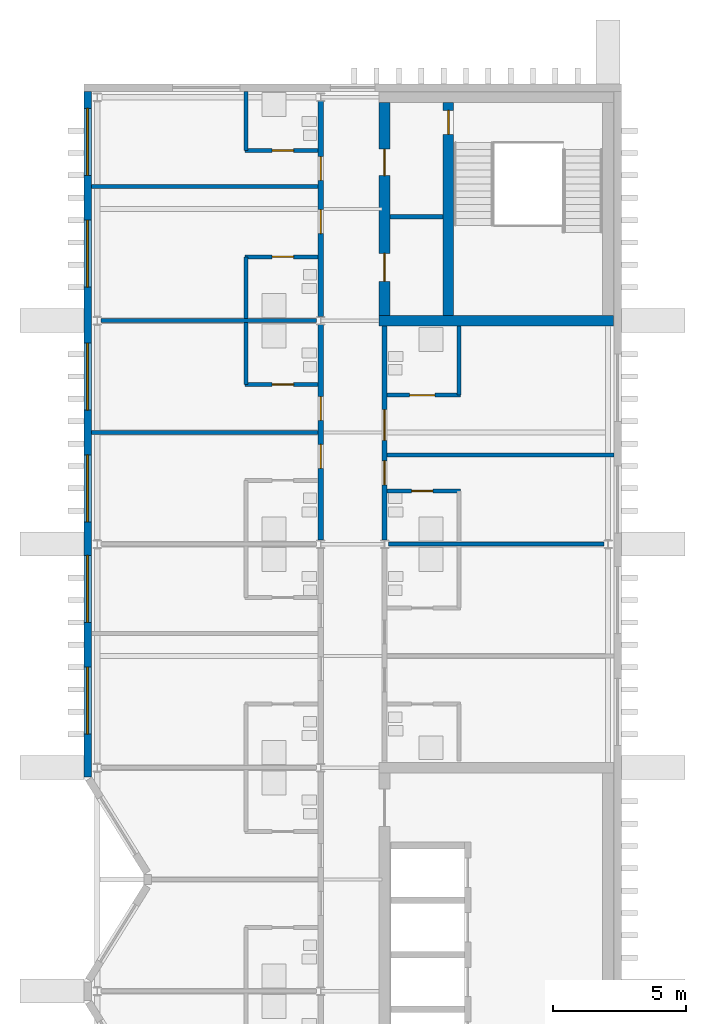
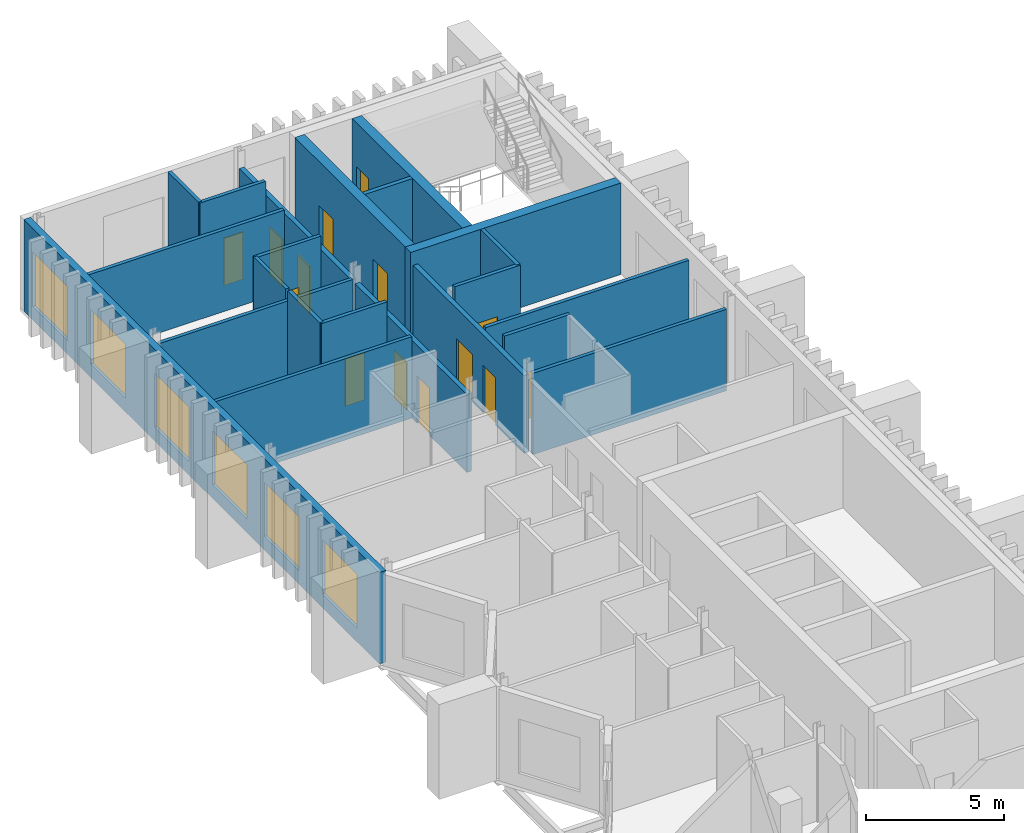
# One storey, part 8 of 11: 22 walls, 14 doors, 6 windows, 20 openings.
"""IFC4 building model written with IfcOpenShell, lengths in metres."""

from ifc_helpers import new_model, si_unit, direction, frame, frame_2d, origin, place, context, subcontext, project, spatial, rectangle, extrude, material, layer, layer_set, type_object, element, fill, save


model = new_model("IFC4")

# Units and contexts
model_context = context("Model", 3, precision=1e-05, world=origin(), true_north=direction((0.0, 1.0)))
body_context = subcontext(model_context, "Body", "Model", "MODEL_VIEW")
ifc_project = project(units=[si_unit("LENGTHUNIT", "METRE"), si_unit("AREAUNIT", "SQUARE_METRE"), si_unit("VOLUMEUNIT", "CUBIC_METRE"), si_unit("PLANEANGLEUNIT", "RADIAN"), si_unit("MASSUNIT", "GRAM", prefix="KILO")], contexts=[model_context])

# Site, building, storey
site_placement = place(None, origin())
site = spatial("IfcSite", under=ifc_project, at=site_placement, CompositionType="ELEMENT")
building_placement = place(site_placement, origin())
building = spatial("IfcBuilding", under=site, at=building_placement, Name="Cresset Court Congress Hotel", CompositionType="ELEMENT")
storey_placement = place(building_placement, frame((0.0, 0.0, 52.199951171875)))
storey = spatial("IfcBuildingStorey", under=building, at=storey_placement, Name="L12", CompositionType="ELEMENT", Elevation=52.199951171875)

# Wall, openings, doors
ifc_material_1 = material(Name="Gypsum board partition")
ifc_layer_1 = layer(ifc_material_1, 0.199951171875)
ifc_layer_set_1 = layer_set([ifc_layer_1], Name="Corridor wall 200")
wall_type_1 = type_object("IfcWallType", Name="Corridor wall 200", PredefinedType="PARTITIONING", material=ifc_layer_set_1)
wall_1_placement = place(storey_placement, frame((165.60009765625, 50.550048828125, 0.0), z_axis=(0.0, 0.0, 1.0), x_axis=(0.0, 1.0, 0.0)))
wall_1 = element("IfcWall", 1, at=wall_1_placement, inside=storey, type_object=wall_type_1, Name="A.wl.L12.076", PredefinedType="PARTITIONING", context=body_context, shape_type="SweptSolid", body=[
    extrude(rectangle(XDim=8.099853515625, YDim=0.199951171875, at=frame_2d((4.0498046875, 0.0))), origin(), (0.0, 0.0, 1.0), 3.449951171875),
])
opening_1_placement = place(wall_1_placement, frame((2.699951171875, 0.0, 0.0)))
opening_1 = element("IfcOpeningElement", 2, at=opening_1_placement, cuts=wall_1, Name="Opening DA-12-26", PredefinedType="OPENING", context=body_context, shape_type="SweptSolid", body=[
    extrude(rectangle(XDim=0.89990234375, YDim=2.10009765625, at=frame_2d((0.449951171875, 1.050048828125))), frame((0.0, 0.10986328125, 0.0), z_axis=(0.0, -1.0, 0.0), x_axis=(1.0, 0.0, 0.0)), (0.0, 0.0, 1.0), 0.219970703125),
])
opening_2_placement = place(wall_1_placement, frame((4.5, 0.0, 0.0)))
opening_2 = element("IfcOpeningElement", 3, at=opening_2_placement, cuts=wall_1, Name="Opening DA-12-28", PredefinedType="OPENING", context=body_context, shape_type="SweptSolid", body=[
    extrude(rectangle(XDim=0.89990234375, YDim=2.10009765625, at=frame_2d((0.449951171875, 1.050048828125))), frame((0.0, 0.10986328125, 0.0), z_axis=(0.0, -1.0, 0.0), x_axis=(1.0, 0.0, 0.0)), (0.0, 0.0, 1.0), 0.219970703125),
])
ifc_material_2 = material(Name="timber", Category="wood")
door_type_1 = type_object("IfcDoorType", Name="Guest-room entry door 900x2100 FD30S", OperationType="SINGLE_SWING_LEFT", PredefinedType="DOOR", material=ifc_material_2)
door_1_placement = place(opening_1_placement, origin())
door_1 = element("IfcDoor", 4, at=door_1_placement, inside=storey, type_object=door_type_1, Name="Door DA-12-26", OperationType="SINGLE_SWING_RIGHT", OverallHeight=2.10009765625, OverallWidth=0.89990234375, PredefinedType="DOOR", context=body_context, shape_type="SweptSolid", body=[
    extrude(rectangle(XDim=0.89990234375, YDim=2.10009765625, at=frame_2d((0.449951171875, 1.050048828125))), frame((0.0, 0.02490234375, 0.0), z_axis=(0.0, -1.0, 0.0), x_axis=(1.0, 0.0, 0.0)), (0.0, 0.0, 1.0), 0.050048828125),
])
fill(opening_1, door_1)
door_2_placement = place(opening_2_placement, origin())
door_2 = element("IfcDoor", 5, at=door_2_placement, inside=storey, type_object=door_type_1, Name="Door DA-12-28", OperationType="SINGLE_SWING_LEFT", OverallHeight=2.10009765625, OverallWidth=0.89990234375, PredefinedType="DOOR", context=body_context, shape_type="SweptSolid", body=[
    extrude(rectangle(XDim=0.89990234375, YDim=2.10009765625, at=frame_2d((0.449951171875, 1.050048828125))), frame((0.0, 0.02490234375, 0.0), z_axis=(0.0, -1.0, 0.0), x_axis=(1.0, 0.0, 0.0)), (0.0, 0.0, 1.0), 0.050048828125),
])
fill(opening_2, door_2)

wall_2_placement = place(storey_placement, frame((165.60009765625, 58.949951171875, 0.0), z_axis=(0.0, 0.0, 1.0), x_axis=(0.0, 1.0, 0.0)))
wall_2 = element("IfcWall", 6, at=wall_2_placement, inside=storey, type_object=wall_type_1, Name="A.wl.L12.077", PredefinedType="PARTITIONING", context=body_context, shape_type="SweptSolid", body=[
    extrude(rectangle(XDim=8.10009765625, YDim=0.199951171875, at=frame_2d((4.050048828125, 0.0))), origin(), (0.0, 0.0, 1.0), 3.449951171875),
])
opening_3_placement = place(wall_2_placement, frame((3.1201171875, 0.0, 0.0)))
opening_3 = element("IfcOpeningElement", 7, at=opening_3_placement, cuts=wall_2, Name="Opening DA-12-30", PredefinedType="OPENING", context=body_context, shape_type="SweptSolid", body=[
    extrude(rectangle(XDim=0.89990234375, YDim=2.10009765625, at=frame_2d((0.449951171875, 1.050048828125))), frame((0.0, 0.10986328125, 0.0), z_axis=(0.0, -1.0, 0.0), x_axis=(1.0, 0.0, 0.0)), (0.0, 0.0, 1.0), 0.219970703125),
])
opening_4_placement = place(wall_2_placement, frame((5.1201171875, 0.0, 0.0)))
opening_4 = element("IfcOpeningElement", 8, at=opening_4_placement, cuts=wall_2, Name="Opening DA-12-32", PredefinedType="OPENING", context=body_context, shape_type="SweptSolid", body=[
    extrude(rectangle(XDim=0.89990234375, YDim=2.10009765625, at=frame_2d((0.449951171875, 1.050048828125))), frame((0.0, 0.10986328125, 0.0), z_axis=(0.0, -1.0, 0.0), x_axis=(1.0, 0.0, 0.0)), (0.0, 0.0, 1.0), 0.219970703125),
])
door_3_placement = place(opening_3_placement, origin())
door_3 = element("IfcDoor", 9, at=door_3_placement, inside=storey, type_object=door_type_1, Name="Door DA-12-30", OperationType="SINGLE_SWING_RIGHT", OverallHeight=2.10009765625, OverallWidth=0.89990234375, PredefinedType="DOOR", context=body_context, shape_type="SweptSolid", body=[
    extrude(rectangle(XDim=0.89990234375, YDim=2.10009765625, at=frame_2d((0.449951171875, 1.050048828125))), frame((0.0, 0.02490234375, 0.0), z_axis=(0.0, -1.0, 0.0), x_axis=(1.0, 0.0, 0.0)), (0.0, 0.0, 1.0), 0.050048828125),
])
fill(opening_3, door_3)
door_4_placement = place(opening_4_placement, origin())
door_4 = element("IfcDoor", 10, at=door_4_placement, inside=storey, type_object=door_type_1, Name="Door DA-12-32", OperationType="SINGLE_SWING_LEFT", OverallHeight=2.10009765625, OverallWidth=0.89990234375, PredefinedType="DOOR", context=body_context, shape_type="SweptSolid", body=[
    extrude(rectangle(XDim=0.89990234375, YDim=2.10009765625, at=frame_2d((0.449951171875, 1.050048828125))), frame((0.0, 0.02490234375, 0.0), z_axis=(0.0, -1.0, 0.0), x_axis=(1.0, 0.0, 0.0)), (0.0, 0.0, 1.0), 0.050048828125),
])
fill(opening_4, door_4)

wall_3_placement = place(storey_placement, frame((168.0, 50.550048828125, 0.0), z_axis=(0.0, 0.0, 1.0), x_axis=(0.0, 1.0, 0.0)))
wall_3 = element("IfcWall", 11, at=wall_3_placement, inside=storey, type_object=wall_type_1, Name="A.wl.L12.081", PredefinedType="PARTITIONING", context=body_context, shape_type="SweptSolid", body=[
    extrude(rectangle(XDim=8.050048828125, YDim=0.199951171875, at=frame_2d((4.02490234375, 0.0))), origin(), (0.0, 0.0, 1.0), 3.449951171875),
])
opening_5_placement = place(wall_3_placement, frame((2.080078125, 0.0, 0.0)))
opening_5 = element("IfcOpeningElement", 12, at=opening_5_placement, cuts=wall_3, Name="Opening DA-12-46", PredefinedType="OPENING", context=body_context, shape_type="SweptSolid", body=[
    extrude(rectangle(XDim=0.89990234375, YDim=2.10009765625, at=frame_2d((0.449951171875, 1.050048828125))), frame((0.0, 0.10986328125, 0.0), z_axis=(0.0, -1.0, 0.0), x_axis=(1.0, 0.0, 0.0)), (0.0, 0.0, 1.0), 0.219970703125),
])
opening_6_placement = place(wall_3_placement, frame((3.7548828125, 0.0, 0.0)))
opening_6 = element("IfcOpeningElement", 13, at=opening_6_placement, cuts=wall_3, Name="Opening DA-12-48", PredefinedType="OPENING", context=body_context, shape_type="SweptSolid", body=[
    extrude(rectangle(XDim=1.14990234375, YDim=2.10009765625, at=frame_2d((0.574951171875, 1.050048828125))), frame((0.0, 0.10986328125, 0.0), z_axis=(0.0, -1.0, 0.0), x_axis=(1.0, 0.0, 0.0)), (0.0, 0.0, 1.0), 0.219970703125),
])
ifc_material_3 = material(Name="timber", Category="wood")
door_type_2 = type_object("IfcDoorType", Name="Accessible guest-room entry door 1150x2100 FD30S", OperationType="SINGLE_SWING_LEFT", PredefinedType="DOOR", material=ifc_material_3)
door_5_placement = place(opening_6_placement, origin())
door_5 = element("IfcDoor", 14, at=door_5_placement, inside=storey, type_object=door_type_2, Name="Door DA-12-48", OperationType="SINGLE_SWING_LEFT", OverallHeight=2.10009765625, OverallWidth=1.14990234375, PredefinedType="DOOR", context=body_context, shape_type="SweptSolid", body=[
    extrude(rectangle(XDim=1.14990234375, YDim=2.10009765625, at=frame_2d((0.574951171875, 1.050048828125))), frame((0.0, 0.02490234375, 0.0), z_axis=(0.0, -1.0, 0.0), x_axis=(1.0, 0.0, 0.0)), (0.0, 0.0, 1.0), 0.050048828125),
])
fill(opening_6, door_5)
door_6_placement = place(opening_5_placement, origin())
door_6 = element("IfcDoor", 15, at=door_6_placement, inside=storey, type_object=door_type_1, Name="Door DA-12-46", OperationType="SINGLE_SWING_RIGHT", OverallHeight=2.10009765625, OverallWidth=0.89990234375, PredefinedType="DOOR", context=body_context, shape_type="SweptSolid", body=[
    extrude(rectangle(XDim=0.89990234375, YDim=2.10009765625, at=frame_2d((0.449951171875, 1.050048828125))), frame((0.0, 0.02490234375, 0.0), z_axis=(0.0, -1.0, 0.0), x_axis=(1.0, 0.0, 0.0)), (0.0, 0.0, 1.0), 0.050048828125),
])
fill(opening_5, door_6)

# Wall
ifc_material_4 = material(Name="Gypsum board partition")
ifc_layer_2 = layer(ifc_material_4, 0.14990234375)
ifc_layer_set_2 = layer_set([ifc_layer_2], Name="En-suite wall 150")
wall_type_2 = type_object("IfcWallType", Name="En-suite wall 150", PredefinedType="PARTITIONING", material=ifc_layer_set_2)
wall_4_placement = place(storey_placement, frame((162.800048828125, 56.39990234375, 0.0), z_axis=(0.0, 0.0, 1.0), x_axis=(0.0, 1.0, 0.0)))
element("IfcWall", 16, at=wall_4_placement, inside=storey, type_object=wall_type_2, Name="A.wl.L12.027", PredefinedType="PARTITIONING", context=body_context, shape_type="SweptSolid", body=[
    extrude(rectangle(XDim=2.3251953125, YDim=0.14990234375, at=frame_2d((1.16259765625, 0.0))), origin(), (0.0, 0.0, 1.0), 4.050048828125),
])

# Wall, opening, door
wall_5_placement = place(storey_placement, frame((162.75, 56.39990234375, 0.0), z_axis=(0.0, 0.0, 1.0), x_axis=(1.0, 0.0, 0.0)))
wall_5 = element("IfcWall", 17, at=wall_5_placement, inside=storey, type_object=wall_type_2, Name="A.wl.L12.028", PredefinedType="PARTITIONING", context=body_context, shape_type="SweptSolid", body=[
    extrude(rectangle(XDim=2.75, YDim=0.14990234375, at=frame_2d((1.375, 0.0))), origin(), (0.0, 0.0, 1.0), 4.050048828125),
])
opening_7_placement = place(wall_5_placement, frame((1.030029296875, 0.0, 0.0)))
opening_7 = element("IfcOpeningElement", 18, at=opening_7_placement, cuts=wall_5, Name="Opening DA-12-27", PredefinedType="OPENING", context=body_context, shape_type="SweptSolid", body=[
    extrude(rectangle(XDim=0.800048828125, YDim=2.10009765625, at=frame_2d((0.39990234375, 1.050048828125))), frame((0.0, 0.0849609375, 0.0), z_axis=(0.0, -1.0, 0.0), x_axis=(1.0, 0.0, 0.0)), (0.0, 0.0, 1.0), 0.169921875),
])
ifc_material_5 = material(Name="timber", Category="wood")
door_type_3 = type_object("IfcDoorType", Name="En-suite door 800x2100", OperationType="SINGLE_SWING_LEFT", PredefinedType="DOOR", material=ifc_material_5)
door_7_placement = place(opening_7_placement, origin())
door_7 = element("IfcDoor", 19, at=door_7_placement, inside=storey, type_object=door_type_3, Name="Door DA-12-27", OperationType="SINGLE_SWING_LEFT", OverallHeight=2.10009765625, OverallWidth=0.800048828125, PredefinedType="DOOR", context=body_context, shape_type="SweptSolid", body=[
    extrude(rectangle(XDim=0.800048828125, YDim=2.10009765625, at=frame_2d((0.39990234375, 1.050048828125))), frame((0.0, 0.02490234375, 0.0), z_axis=(0.0, -1.0, 0.0), x_axis=(1.0, 0.0, 0.0)), (0.0, 0.0, 1.0), 0.050048828125),
])
fill(opening_7, door_7)

# Wall
wall_6_placement = place(storey_placement, frame((162.800048828125, 58.875, 0.0), z_axis=(0.0, 0.0, 1.0), x_axis=(0.0, 1.0, 0.0)))
element("IfcWall", 20, at=wall_6_placement, inside=storey, type_object=wall_type_2, Name="A.wl.L12.029", PredefinedType="PARTITIONING", context=body_context, shape_type="SweptSolid", body=[
    extrude(rectangle(XDim=2.324951171875, YDim=0.14990234375, at=frame_2d((1.16259765625, 0.0))), origin(), (0.0, 0.0, 1.0), 4.050048828125),
])

# Wall, opening, door
wall_7_placement = place(storey_placement, frame((162.75, 61.199951171875, 0.0), z_axis=(0.0, 0.0, 1.0), x_axis=(1.0, 0.0, 0.0)))
wall_7 = element("IfcWall", 21, at=wall_7_placement, inside=storey, type_object=wall_type_2, Name="A.wl.L12.030", PredefinedType="PARTITIONING", context=body_context, shape_type="SweptSolid", body=[
    extrude(rectangle(XDim=2.75, YDim=0.14990234375, at=frame_2d((1.375, 0.0))), origin(), (0.0, 0.0, 1.0), 4.050048828125),
])
opening_8_placement = place(wall_7_placement, frame((1.030029296875, 0.0, 0.0)))
opening_8 = element("IfcOpeningElement", 22, at=opening_8_placement, cuts=wall_7, Name="Opening DA-12-29", PredefinedType="OPENING", context=body_context, shape_type="SweptSolid", body=[
    extrude(rectangle(XDim=0.800048828125, YDim=2.10009765625, at=frame_2d((0.39990234375, 1.050048828125))), frame((0.0, 0.0849609375, 0.0), z_axis=(0.0, -1.0, 0.0), x_axis=(1.0, 0.0, 0.0)), (0.0, 0.0, 1.0), 0.169921875),
])
door_8_placement = place(opening_8_placement, origin())
door_8 = element("IfcDoor", 23, at=door_8_placement, inside=storey, type_object=door_type_3, Name="Door DA-12-29", OperationType="SINGLE_SWING_RIGHT", OverallHeight=2.10009765625, OverallWidth=0.800048828125, PredefinedType="DOOR", context=body_context, shape_type="SweptSolid", body=[
    extrude(rectangle(XDim=0.800048828125, YDim=2.10009765625, at=frame_2d((0.39990234375, 1.050048828125))), frame((0.0, 0.02490234375, 0.0), z_axis=(0.0, -1.0, 0.0), x_axis=(1.0, 0.0, 0.0)), (0.0, 0.0, 1.0), 0.050048828125),
])
fill(opening_8, door_8)

# Wall
wall_8_placement = place(storey_placement, frame((162.800048828125, 65.199951171875, 0.0), z_axis=(0.0, 0.0, 1.0), x_axis=(0.0, 1.0, 0.0)))
element("IfcWall", 24, at=wall_8_placement, inside=storey, type_object=wall_type_2, Name="A.wl.L12.031", PredefinedType="PARTITIONING", context=body_context, shape_type="SweptSolid", body=[
    extrude(rectangle(XDim=2.219970703125, YDim=0.14990234375, at=frame_2d((1.10986328125, 0.0))), origin(), (0.0, 0.0, 1.0), 4.050048828125),
])

# Wall, opening, door
wall_9_placement = place(storey_placement, frame((162.75, 65.199951171875, 0.0), z_axis=(0.0, 0.0, 1.0), x_axis=(1.0, 0.0, 0.0)))
wall_9 = element("IfcWall", 25, at=wall_9_placement, inside=storey, type_object=wall_type_2, Name="A.wl.L12.032", PredefinedType="PARTITIONING", context=body_context, shape_type="SweptSolid", body=[
    extrude(rectangle(XDim=2.75, YDim=0.14990234375, at=frame_2d((1.375, 0.0))), origin(), (0.0, 0.0, 1.0), 4.050048828125),
])
opening_9_placement = place(wall_9_placement, frame((1.030029296875, 0.0, 0.0)))
opening_9 = element("IfcOpeningElement", 26, at=opening_9_placement, cuts=wall_9, Name="Opening DA-12-31", PredefinedType="OPENING", context=body_context, shape_type="SweptSolid", body=[
    extrude(rectangle(XDim=0.800048828125, YDim=2.10009765625, at=frame_2d((0.39990234375, 1.050048828125))), frame((0.0, 0.0849609375, 0.0), z_axis=(0.0, -1.0, 0.0), x_axis=(1.0, 0.0, 0.0)), (0.0, 0.0, 1.0), 0.169921875),
])
door_9_placement = place(opening_9_placement, origin())
door_9 = element("IfcDoor", 27, at=door_9_placement, inside=storey, type_object=door_type_3, Name="Door DA-12-31", OperationType="SINGLE_SWING_LEFT", OverallHeight=2.10009765625, OverallWidth=0.800048828125, PredefinedType="DOOR", context=body_context, shape_type="SweptSolid", body=[
    extrude(rectangle(XDim=0.800048828125, YDim=2.10009765625, at=frame_2d((0.39990234375, 1.050048828125))), frame((0.0, 0.02490234375, 0.0), z_axis=(0.0, -1.0, 0.0), x_axis=(1.0, 0.0, 0.0)), (0.0, 0.0, 1.0), 0.050048828125),
])
fill(opening_9, door_9)

wall_10_placement = place(storey_placement, frame((170.85009765625, 52.39990234375, 0.0), z_axis=(0.0, 0.0, 1.0), x_axis=(-1.0, 0.0, 0.0)))
wall_10 = element("IfcWall", 28, at=wall_10_placement, inside=storey, type_object=wall_type_2, Name="A.wl.L12.046", PredefinedType="PARTITIONING", context=body_context, shape_type="SweptSolid", body=[
    extrude(rectangle(XDim=2.75, YDim=0.14990234375, at=frame_2d((1.375, 0.0))), origin(), (0.0, 0.0, 1.0), 4.050048828125),
])
opening_10_placement = place(wall_10_placement, frame((1.030029296875, 0.0, 0.0)))
opening_10 = element("IfcOpeningElement", 29, at=opening_10_placement, cuts=wall_10, Name="Opening DA-12-45", PredefinedType="OPENING", context=body_context, shape_type="SweptSolid", body=[
    extrude(rectangle(XDim=0.800048828125, YDim=2.10009765625, at=frame_2d((0.39990234375, 1.050048828125))), frame((0.0, 0.0849609375, 0.0), z_axis=(0.0, -1.0, 0.0), x_axis=(1.0, 0.0, 0.0)), (0.0, 0.0, 1.0), 0.169921875),
])
door_10_placement = place(opening_10_placement, origin())
door_10 = element("IfcDoor", 30, at=door_10_placement, inside=storey, type_object=door_type_3, Name="Door DA-12-45", OperationType="SINGLE_SWING_RIGHT", OverallHeight=2.10009765625, OverallWidth=0.800048828125, PredefinedType="DOOR", context=body_context, shape_type="SweptSolid", body=[
    extrude(rectangle(XDim=0.800048828125, YDim=2.10009765625, at=frame_2d((0.39990234375, 1.050048828125))), frame((0.0, 0.02490234375, 0.0), z_axis=(0.0, -1.0, 0.0), x_axis=(1.0, 0.0, 0.0)), (0.0, 0.0, 1.0), 0.050048828125),
])
fill(opening_10, door_10)

# Wall
wall_11_placement = place(storey_placement, frame((170.800048828125, 56.0, 0.0), z_axis=(0.0, 0.0, 1.0), x_axis=(0.0, 1.0, 0.0)))
element("IfcWall", 31, at=wall_11_placement, inside=storey, type_object=wall_type_2, Name="A.wl.L12.047", PredefinedType="PARTITIONING", context=body_context, shape_type="SweptSolid", body=[
    extrude(rectangle(XDim=2.60009765625, YDim=0.14990234375, at=frame_2d((1.300048828125, 0.0))), origin(), (0.0, 0.0, 1.0), 4.050048828125),
])

# Wall, opening, door
wall_12_placement = place(storey_placement, frame((170.85009765625, 56.0, 0.0), z_axis=(0.0, 0.0, 1.0), x_axis=(-1.0, 0.0, 0.0)))
wall_12 = element("IfcWall", 32, at=wall_12_placement, inside=storey, type_object=wall_type_2, Name="A.wl.L12.048", PredefinedType="PARTITIONING", context=body_context, shape_type="SweptSolid", body=[
    extrude(rectangle(XDim=2.75, YDim=0.14990234375, at=frame_2d((1.375, 0.0))), origin(), (0.0, 0.0, 1.0), 4.050048828125),
])
opening_11_placement = place(wall_12_placement, frame((0.955078125, 0.0, 0.0)))
opening_11 = element("IfcOpeningElement", 33, at=opening_11_placement, cuts=wall_12, Name="Opening DA-12-47", PredefinedType="OPENING", context=body_context, shape_type="SweptSolid", body=[
    extrude(rectangle(XDim=0.949951171875, YDim=2.10009765625, at=frame_2d((0.47509765625, 1.050048828125))), frame((0.0, 0.0849609375, 0.0), z_axis=(0.0, -1.0, 0.0), x_axis=(1.0, 0.0, 0.0)), (0.0, 0.0, 1.0), 0.169921875),
])
ifc_material_6 = material(Name="timber", Category="wood")
door_type_4 = type_object("IfcDoorType", Name="Accessible en-suite door 950x2100", OperationType="SINGLE_SWING_LEFT", PredefinedType="DOOR", material=ifc_material_6)
door_11_placement = place(opening_11_placement, origin())
door_11 = element("IfcDoor", 34, at=door_11_placement, inside=storey, type_object=door_type_4, Name="Door DA-12-47", OperationType="SINGLE_SWING_LEFT", OverallHeight=2.10009765625, OverallWidth=0.949951171875, PredefinedType="DOOR", context=body_context, shape_type="SweptSolid", body=[
    extrude(rectangle(XDim=0.949951171875, YDim=2.10009765625, at=frame_2d((0.47509765625, 1.050048828125))), frame((0.0, 0.02490234375, 0.0), z_axis=(0.0, -1.0, 0.0), x_axis=(1.0, 0.0, 0.0)), (0.0, 0.0, 1.0), 0.050048828125),
])
fill(opening_11, door_11)

# Wall, openings, windows
ifc_material_7 = material(Name="Precast concrete C50", Category="concrete")
ifc_layer_3 = layer(ifc_material_7, 0.280029296875)
ifc_layer_set_3 = layer_set([ifc_layer_3], Name="External wall 280")
wall_type_3 = type_object("IfcWallType", Name="External wall 280", PredefinedType="SOLIDWALL", material=ifc_layer_set_3)
wall_13_placement = place(storey_placement, frame((156.840087890625, 41.64990234375, 0.0), z_axis=(0.0, 0.0, 1.0), x_axis=(0.0, 1.0, 0.0)))
wall_13 = element("IfcWall", 35, at=wall_13_placement, inside=storey, type_object=wall_type_3, Name="A.ew.L12.W.5", PredefinedType="SOLIDWALL", context=body_context, shape_type="SweptSolid", body=[
    extrude(rectangle(XDim=25.77001953125, YDim=0.280029296875, at=frame_2d((12.885009765625, 0.0))), origin(), (0.0, 0.0, 1.0), 4.050048828125),
])
opening_12_placement = place(wall_13_placement, frame((1.610107421875, 0.0, 0.60009765625)))
opening_12 = element("IfcOpeningElement", 36, at=opening_12_placement, cuts=wall_13, Name="Opening NA-12-11", PredefinedType="OPENING", context=body_context, shape_type="SweptSolid", body=[
    extrude(rectangle(XDim=2.52001953125, YDim=2.39990234375, at=frame_2d((1.260009765625, 1.199951171875))), frame((0.0, 0.14990234375, 0.0), z_axis=(0.0, -1.0, 0.0), x_axis=(1.0, 0.0, 0.0)), (0.0, 0.0, 1.0), 0.300048828125),
])
opening_13_placement = place(wall_13_placement, frame((5.81005859375, 0.0, 0.60009765625)))
opening_13 = element("IfcOpeningElement", 37, at=opening_13_placement, cuts=wall_13, Name="Opening NA-12-12", PredefinedType="OPENING", context=body_context, shape_type="SweptSolid", body=[
    extrude(rectangle(XDim=2.52001953125, YDim=2.39990234375, at=frame_2d((1.260009765625, 1.199951171875))), frame((0.0, 0.14990234375, 0.0), z_axis=(0.0, -1.0, 0.0), x_axis=(1.0, 0.0, 0.0)), (0.0, 0.0, 1.0), 0.300048828125),
])
opening_14_placement = place(wall_13_placement, frame((9.590087890625, 0.0, 0.60009765625)))
opening_14 = element("IfcOpeningElement", 38, at=opening_14_placement, cuts=wall_13, Name="Opening NA-12-13", PredefinedType="OPENING", context=body_context, shape_type="SweptSolid", body=[
    extrude(rectangle(XDim=2.52001953125, YDim=2.39990234375, at=frame_2d((1.260009765625, 1.199951171875))), frame((0.0, 0.14990234375, 0.0), z_axis=(0.0, -1.0, 0.0), x_axis=(1.0, 0.0, 0.0)), (0.0, 0.0, 1.0), 0.300048828125),
])
opening_15_placement = place(wall_13_placement, frame((13.7900390625, 0.0, 0.60009765625)))
opening_15 = element("IfcOpeningElement", 39, at=opening_15_placement, cuts=wall_13, Name="Opening NA-12-14", PredefinedType="OPENING", context=body_context, shape_type="SweptSolid", body=[
    extrude(rectangle(XDim=2.52001953125, YDim=2.39990234375, at=frame_2d((1.260009765625, 1.199951171875))), frame((0.0, 0.14990234375, 0.0), z_axis=(0.0, -1.0, 0.0), x_axis=(1.0, 0.0, 0.0)), (0.0, 0.0, 1.0), 0.300048828125),
])
opening_16_placement = place(wall_13_placement, frame((18.409912109375, 0.0, 0.60009765625)))
opening_16 = element("IfcOpeningElement", 40, at=opening_16_placement, cuts=wall_13, Name="Opening NA-12-15", PredefinedType="OPENING", context=body_context, shape_type="SweptSolid", body=[
    extrude(rectangle(XDim=2.52001953125, YDim=2.39990234375, at=frame_2d((1.260009765625, 1.199951171875))), frame((0.0, 0.14990234375, 0.0), z_axis=(0.0, -1.0, 0.0), x_axis=(1.0, 0.0, 0.0)), (0.0, 0.0, 1.0), 0.300048828125),
])
opening_17_placement = place(wall_13_placement, frame((22.610107421875, 0.0, 0.60009765625)))
opening_17 = element("IfcOpeningElement", 41, at=opening_17_placement, cuts=wall_13, Name="Opening NA-12-16", PredefinedType="OPENING", context=body_context, shape_type="SweptSolid", body=[
    extrude(rectangle(XDim=2.52001953125, YDim=2.39990234375, at=frame_2d((1.260009765625, 1.199951171875))), frame((0.0, 0.14990234375, 0.0), z_axis=(0.0, -1.0, 0.0), x_axis=(1.0, 0.0, 0.0)), (0.0, 0.0, 1.0), 0.300048828125),
])
ifc_material_8 = material(Name="Aluminium and glass", Category="aluminium")
window_type = type_object("IfcWindowType", Name="Window 2520x2400", PartitioningType="SINGLE_PANEL", PredefinedType="WINDOW", material=ifc_material_8)
window_1_placement = place(opening_12_placement, origin())
window_1 = element("IfcWindow", 42, at=window_1_placement, inside=storey, type_object=window_type, Name="Window NA-12-11", OverallHeight=2.39990234375, OverallWidth=2.52001953125, PartitioningType="SINGLE_PANEL", PredefinedType="WINDOW", context=body_context, shape_type="SweptSolid", body=[
    extrude(rectangle(XDim=2.52001953125, YDim=2.39990234375, at=frame_2d((1.260009765625, 1.199951171875))), frame((0.0, 0.030029296875, 0.0), z_axis=(0.0, -1.0, 0.0), x_axis=(1.0, 0.0, 0.0)), (0.0, 0.0, 1.0), 0.06005859375),
])
fill(opening_12, window_1)
window_2_placement = place(opening_13_placement, origin())
window_2 = element("IfcWindow", 43, at=window_2_placement, inside=storey, type_object=window_type, Name="Window NA-12-12", OverallHeight=2.39990234375, OverallWidth=2.52001953125, PartitioningType="SINGLE_PANEL", PredefinedType="WINDOW", context=body_context, shape_type="SweptSolid", body=[
    extrude(rectangle(XDim=2.52001953125, YDim=2.39990234375, at=frame_2d((1.260009765625, 1.199951171875))), frame((0.0, 0.030029296875, 0.0), z_axis=(0.0, -1.0, 0.0), x_axis=(1.0, 0.0, 0.0)), (0.0, 0.0, 1.0), 0.06005859375),
])
fill(opening_13, window_2)
window_3_placement = place(opening_14_placement, origin())
window_3 = element("IfcWindow", 44, at=window_3_placement, inside=storey, type_object=window_type, Name="Window NA-12-13", OverallHeight=2.39990234375, OverallWidth=2.52001953125, PartitioningType="SINGLE_PANEL", PredefinedType="WINDOW", context=body_context, shape_type="SweptSolid", body=[
    extrude(rectangle(XDim=2.52001953125, YDim=2.39990234375, at=frame_2d((1.260009765625, 1.199951171875))), frame((0.0, 0.030029296875, 0.0), z_axis=(0.0, -1.0, 0.0), x_axis=(1.0, 0.0, 0.0)), (0.0, 0.0, 1.0), 0.06005859375),
])
fill(opening_14, window_3)
window_4_placement = place(opening_15_placement, origin())
window_4 = element("IfcWindow", 45, at=window_4_placement, inside=storey, type_object=window_type, Name="Window NA-12-14", OverallHeight=2.39990234375, OverallWidth=2.52001953125, PartitioningType="SINGLE_PANEL", PredefinedType="WINDOW", context=body_context, shape_type="SweptSolid", body=[
    extrude(rectangle(XDim=2.52001953125, YDim=2.39990234375, at=frame_2d((1.260009765625, 1.199951171875))), frame((0.0, 0.030029296875, 0.0), z_axis=(0.0, -1.0, 0.0), x_axis=(1.0, 0.0, 0.0)), (0.0, 0.0, 1.0), 0.06005859375),
])
fill(opening_15, window_4)
window_5_placement = place(opening_16_placement, origin())
window_5 = element("IfcWindow", 46, at=window_5_placement, inside=storey, type_object=window_type, Name="Window NA-12-15", OverallHeight=2.39990234375, OverallWidth=2.52001953125, PartitioningType="SINGLE_PANEL", PredefinedType="WINDOW", context=body_context, shape_type="SweptSolid", body=[
    extrude(rectangle(XDim=2.52001953125, YDim=2.39990234375, at=frame_2d((1.260009765625, 1.199951171875))), frame((0.0, 0.030029296875, 0.0), z_axis=(0.0, -1.0, 0.0), x_axis=(1.0, 0.0, 0.0)), (0.0, 0.0, 1.0), 0.06005859375),
])
fill(opening_16, window_5)
window_6_placement = place(opening_17_placement, origin())
window_6 = element("IfcWindow", 47, at=window_6_placement, inside=storey, type_object=window_type, Name="Window NA-12-16", OverallHeight=2.39990234375, OverallWidth=2.52001953125, PartitioningType="SINGLE_PANEL", PredefinedType="WINDOW", context=body_context, shape_type="SweptSolid", body=[
    extrude(rectangle(XDim=2.52001953125, YDim=2.39990234375, at=frame_2d((1.260009765625, 1.199951171875))), frame((0.0, 0.030029296875, 0.0), z_axis=(0.0, -1.0, 0.0), x_axis=(1.0, 0.0, 0.0)), (0.0, 0.0, 1.0), 0.06005859375),
])
fill(opening_17, window_6)

# Walls
ifc_material_9 = material(Name="Gypsum board partition")
ifc_layer_4 = layer(ifc_material_9, 0.14990234375)
ifc_layer_set_4 = layer_set([ifc_layer_4], Name="Guest-room partition 150")
wall_type_4 = type_object("IfcWallType", Name="Guest-room partition 150", PredefinedType="PARTITIONING", material=ifc_layer_set_4)
wall_14_placement = place(storey_placement, frame((157.35009765625, 58.800048828125, 0.0), z_axis=(0.0, 0.0, 1.0), x_axis=(1.0, 0.0, 0.0)))
element("IfcWall", 48, at=wall_14_placement, inside=storey, type_object=wall_type_4, Name="A.wl.L12.055", PredefinedType="PARTITIONING", context=body_context, shape_type="SweptSolid", body=[
    extrude(rectangle(XDim=8.099853515625, YDim=0.14990234375, at=frame_2d((4.0498046875, 0.0))), origin(), (0.0, 0.0, 1.0), 3.60400390625),
])
wall_15_placement = place(storey_placement, frame((168.14990234375, 50.39990234375, 0.0), z_axis=(0.0, 0.0, 1.0), x_axis=(1.0, 0.0, 0.0)))
element("IfcWall", 49, at=wall_15_placement, inside=storey, type_object=wall_type_4, Name="A.wl.L12.057", PredefinedType="PARTITIONING", context=body_context, shape_type="SweptSolid", body=[
    extrude(rectangle(XDim=8.10009765625, YDim=0.14990234375, at=frame_2d((4.050048828125, 0.0))), origin(), (0.0, 0.0, 1.0), 3.60400390625),
])
for number, where, z_axis, x_axis, name in (
    (50, (156.97998046875, 54.60009765625, 0.0), (0.0, 0.0, 1.0), (1.0, 0.0, 0.0), "A.wl.L12.064"),
    (51, (156.97998046875, 63.840087890625, 0.0), (0.0, 0.0, 1.0), (1.0, 0.0, 0.0), "A.wl.L12.065"),
    (52, (168.10009765625, 53.760009765625, 0.0), (0.0, 0.0, 1.0), (1.0, 0.0, 0.0), "A.wl.L12.069"),
):
    element("IfcWall", number, at=place(storey_placement, frame(where, z_axis=z_axis, x_axis=x_axis)), inside=storey, type_object=wall_type_4, Name=name, PredefinedType="PARTITIONING", context=body_context, shape_type="SweptSolid", body=[
        extrude(rectangle(XDim=8.52001953125, YDim=0.14990234375, at=frame_2d((4.260009765625, 0.0))), origin(), (0.0, 0.0, 1.0), 3.60400390625),
    ])
ifc_material_10 = material(Name="Concrete block wall", Category="concrete")
ifc_layer_5 = layer(ifc_material_10, 0.175048828125)
ifc_layer_set_5 = layer_set([ifc_layer_5], Name="Riser shaft wall 175")
wall_type_5 = type_object("IfcWallType", Name="Riser shaft wall 175", PredefinedType="PARTITIONING", material=ifc_layer_set_5)
wall_16_placement = place(storey_placement, frame((168.199951171875, 62.699951171875, 0.0), z_axis=(0.0, 0.0, 1.0), x_axis=(1.0, 0.0, 0.0)))
element("IfcWall", 53, at=wall_16_placement, inside=storey, type_object=wall_type_5, Name="A.wl.L12.085", PredefinedType="PARTITIONING", context=body_context, shape_type="SweptSolid", body=[
    extrude(rectangle(XDim=2.0, YDim=0.175048828125, at=frame_2d((1.0, 0.0))), origin(), (0.0, 0.0, 1.0), 4.050048828125),
])
ifc_material_11 = material(Name="Concrete C50", Category="concrete")
ifc_layer_6 = layer(ifc_material_11, 0.39990234375)
ifc_layer_set_6 = layer_set([ifc_layer_6], Name="Stair core wall 400")
wall_type_6 = type_object("IfcWallType", Name="Stair core wall 400", PredefinedType="SOLIDWALL", material=ifc_layer_set_6)
wall_17_placement = place(storey_placement, frame((167.800048828125, 58.800048828125, 0.0), z_axis=(0.0, 0.0, 1.0), x_axis=(1.0, 0.0, 0.0)))
element("IfcWall", 54, at=wall_17_placement, inside=storey, type_object=wall_type_6, Name="A.cw.ST-A2.L12.S", PredefinedType="SOLIDWALL", context=body_context, shape_type="SweptSolid", body=[
    extrude(rectangle(XDim=8.800048828125, YDim=0.39990234375, at=frame_2d((4.39990234375, 0.0))), origin(), (0.0, 0.0, 1.0), 4.050048828125),
])

# Wall, openings, doors
wall_18_placement = place(storey_placement, frame((168.0, 59.0, 0.0), z_axis=(0.0, 0.0, 1.0), x_axis=(0.0, 1.0, 0.0)))
wall_18 = element("IfcWall", 55, at=wall_18_placement, inside=storey, type_object=wall_type_6, Name="A.cw.ST-A2.L12.W", PredefinedType="SOLIDWALL", context=body_context, shape_type="SweptSolid", body=[
    extrude(rectangle(XDim=8.0, YDim=0.39990234375, at=frame_2d((4.0, 0.0))), origin(), (0.0, 0.0, 1.0), 4.050048828125),
])
opening_18_placement = place(wall_18_placement, frame((5.25, 0.0, 0.0)))
opening_18 = element("IfcOpeningElement", 56, at=opening_18_placement, cuts=wall_18, Name="Opening DA-12-53", PredefinedType="OPENING", context=body_context, shape_type="SweptSolid", body=[
    extrude(rectangle(XDim=1.0, YDim=2.10009765625, at=frame_2d((0.5, 1.050048828125))), frame((0.0, 0.2099609375, 0.0), z_axis=(0.0, -1.0, 0.0), x_axis=(1.0, 0.0, 0.0)), (0.0, 0.0, 1.0), 0.419921875),
])
opening_19_placement = place(wall_18_placement, frame((1.27490234375, 0.0, 0.0)))
opening_19 = element("IfcOpeningElement", 57, at=opening_19_placement, cuts=wall_18, Name="Opening DA-12-54", PredefinedType="OPENING", context=body_context, shape_type="SweptSolid", body=[
    extrude(rectangle(XDim=1.050048828125, YDim=2.10009765625, at=frame_2d((0.52490234375, 1.050048828125))), frame((0.0, 0.2099609375, 0.0), z_axis=(0.0, -1.0, 0.0), x_axis=(1.0, 0.0, 0.0)), (0.0, 0.0, 1.0), 0.419921875),
])
ifc_material_12 = material(Name="steel", Category="steel")
door_type_5 = type_object("IfcDoorType", Name="Housekeeping room door 1050x2100 FD30", OperationType="SINGLE_SWING_LEFT", PredefinedType="DOOR", material=ifc_material_12)
door_12_placement = place(opening_19_placement, origin())
door_12 = element("IfcDoor", 58, at=door_12_placement, inside=storey, type_object=door_type_5, Name="Door DA-12-54", OperationType="SINGLE_SWING_RIGHT", OverallHeight=2.10009765625, OverallWidth=1.050048828125, PredefinedType="DOOR", context=body_context, shape_type="SweptSolid", body=[
    extrude(rectangle(XDim=1.050048828125, YDim=2.10009765625, at=frame_2d((0.52490234375, 1.050048828125))), frame((0.0, 0.02490234375, 0.0), z_axis=(0.0, -1.0, 0.0), x_axis=(1.0, 0.0, 0.0)), (0.0, 0.0, 1.0), 0.050048828125),
])
fill(opening_19, door_12)
ifc_material_13 = material(Name="steel", Category="steel")
door_type_6 = type_object("IfcDoorType", Name="Lobby door 1000x2100 FD60", OperationType="SINGLE_SWING_LEFT", PredefinedType="DOOR", material=ifc_material_13)
door_13_placement = place(opening_18_placement, origin())
door_13 = element("IfcDoor", 59, at=door_13_placement, inside=storey, type_object=door_type_6, Name="Door DA-12-53", OperationType="SINGLE_SWING_LEFT", OverallHeight=2.10009765625, OverallWidth=1.0, PredefinedType="DOOR", context=body_context, shape_type="SweptSolid", body=[
    extrude(rectangle(XDim=1.0, YDim=2.10009765625, at=frame_2d((0.5, 1.050048828125))), frame((0.0, 0.02490234375, 0.0), z_axis=(0.0, -1.0, 0.0), x_axis=(1.0, 0.0, 0.0)), (0.0, 0.0, 1.0), 0.050048828125),
])
fill(opening_18, door_13)

# Wall, opening, door
wall_19_placement = place(storey_placement, frame((170.39990234375, 59.0, 0.0), z_axis=(0.0, 0.0, 1.0), x_axis=(0.0, 1.0, 0.0)))
wall_19 = element("IfcWall", 60, at=wall_19_placement, inside=storey, type_object=wall_type_6, Name="A.wl.L12.084", PredefinedType="SOLIDWALL", context=body_context, shape_type="SweptSolid", body=[
    extrude(rectangle(XDim=8.0, YDim=0.39990234375, at=frame_2d((4.0, 0.0))), origin(), (0.0, 0.0, 1.0), 4.050048828125),
])
opening_20_placement = place(wall_19_placement, frame((6.800048828125, 0.0, 0.0)))
opening_20 = element("IfcOpeningElement", 61, at=opening_20_placement, cuts=wall_19, Name="Opening DA-12-52", PredefinedType="OPENING", context=body_context, shape_type="SweptSolid", body=[
    extrude(rectangle(XDim=0.89990234375, YDim=2.10009765625, at=frame_2d((0.449951171875, 1.050048828125))), frame((0.0, 0.2099609375, 0.0), z_axis=(0.0, -1.0, 0.0), x_axis=(1.0, 0.0, 0.0)), (0.0, 0.0, 1.0), 0.419921875),
])
ifc_material_14 = material(Name="steel", Category="steel")
door_type_7 = type_object("IfcDoorType", Name="Stair door 900x2100 FD60", OperationType="SINGLE_SWING_LEFT", PredefinedType="DOOR", material=ifc_material_14)
door_14_placement = place(opening_20_placement, origin())
door_14 = element("IfcDoor", 62, at=door_14_placement, inside=storey, type_object=door_type_7, Name="Door DA-12-52", OperationType="SINGLE_SWING_RIGHT", OverallHeight=2.10009765625, OverallWidth=0.89990234375, PredefinedType="DOOR", context=body_context, shape_type="SweptSolid", body=[
    extrude(rectangle(XDim=0.89990234375, YDim=2.10009765625, at=frame_2d((0.449951171875, 1.050048828125))), frame((0.0, 0.02490234375, 0.0), z_axis=(0.0, -1.0, 0.0), x_axis=(1.0, 0.0, 0.0)), (0.0, 0.0, 1.0), 0.050048828125),
])
fill(opening_20, door_14)

save(model, "model.ifc")
